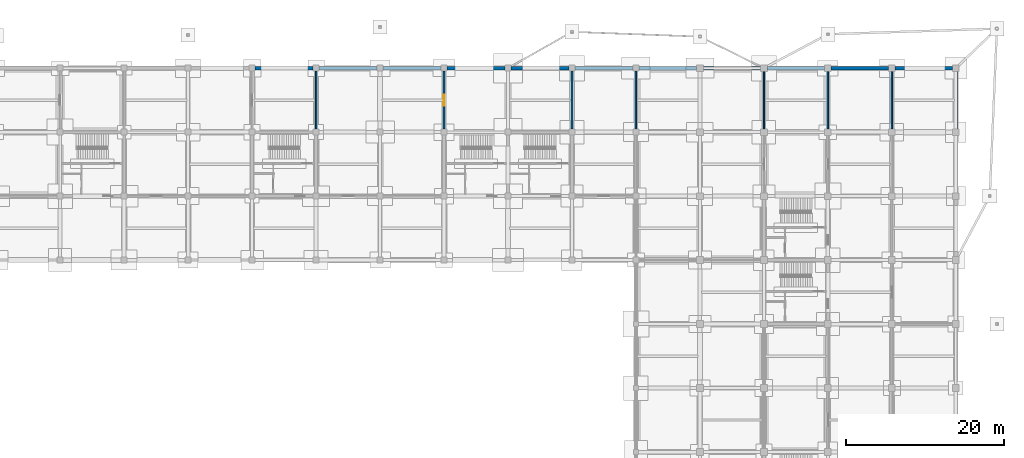
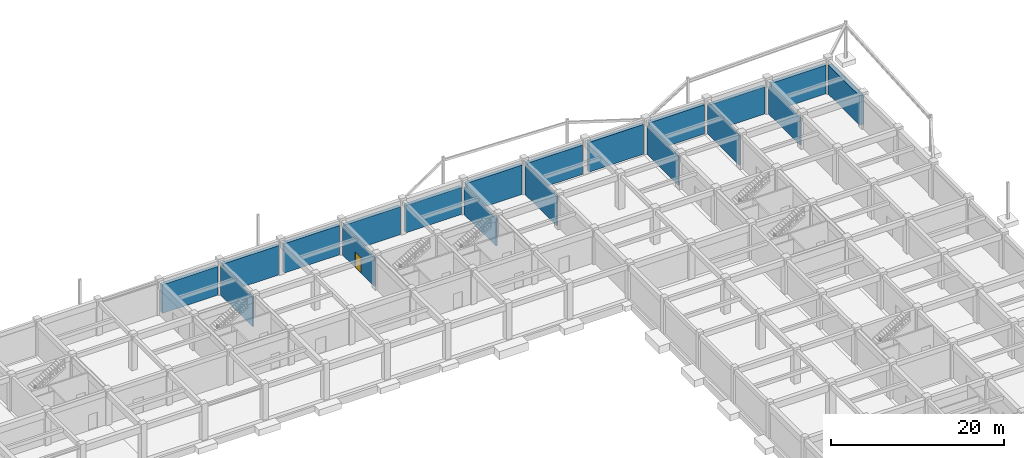
# One storey, part 55 of 67: 19 walls, 1 door, 1 opening.
"""IFC4 building model written with IfcOpenShell, lengths in metres."""

from ifc_helpers import new_model, si_unit, direction, frame, frame_2d, origin, place, context, subcontext, project, spatial, rectangle, extrude, material, layer, layer_set, type_object, element, fill, save


model = new_model("IFC4")

# Units and contexts
model_context = context("Model", 3, precision=1e-05, world=origin(), true_north=direction((0.0, 1.0)))
body_context = subcontext(model_context, "Body", "Model", "MODEL_VIEW")
ifc_project = project(units=[si_unit("LENGTHUNIT", "METRE"), si_unit("AREAUNIT", "SQUARE_METRE"), si_unit("VOLUMEUNIT", "CUBIC_METRE"), si_unit("PLANEANGLEUNIT", "RADIAN"), si_unit("MASSUNIT", "GRAM", prefix="KILO")], contexts=[model_context])

# Site, building, storey
site_placement = place(None, origin())
site = spatial("IfcSite", under=ifc_project, at=site_placement, CompositionType="ELEMENT")
building_placement = place(site_placement, origin())
building = spatial("IfcBuilding", under=site, at=building_placement, Name="Vaudrelin Polytechnic", CompositionType="ELEMENT")
storey_placement = place(building_placement, frame((0.0, 0.0, -5.10009765625)))
storey = spatial("IfcBuildingStorey", under=building, at=storey_placement, Name="B1", CompositionType="ELEMENT", Elevation=-5.10009765625)

# Wall, opening, door
ifc_material_1 = material(Name="Concrete masonry unit 20 MPa shaft & corridor fire wall", Category="masonry")
ifc_layer_1 = layer(ifc_material_1, 0.199951171875)
ifc_layer_set_1 = layer_set([ifc_layer_1], Name="Concrete masonry unit 20 MPa shaft & corridor fire wall")
wall_type_1 = type_object("IfcWallType", Name="WAL-PW-FIRE120", PredefinedType="PARTITIONING", material=ifc_layer_set_1)
wall_1_placement = place(storey_placement, frame((105.300048828125, 113.77294921875, 0.0), z_axis=(0.0, 0.0, 1.0), x_axis=(0.0, 1.0, 0.0)))
wall_1 = element("IfcWall", 1, at=wall_1_placement, inside=storey, type_object=wall_type_1, Name="Partition B1-014 E", PredefinedType="PARTITIONING", context=body_context, shape_type="SweptSolid", body=[
    extrude(rectangle(XDim=7.35400390625, YDim=0.199951171875, at=frame_2d((3.677001953125, 0.0))), origin(), (0.0, 0.0, 1.0), 4.031982421875),
])
opening_placement = place(wall_1_placement, frame((2.97705078125, 0.0, 0.0)))
opening = element("IfcOpeningElement", 2, at=opening_placement, cuts=wall_1, Name="Opening D-B1-419", PredefinedType="OPENING", context=body_context, shape_type="SweptSolid", body=[
    extrude(rectangle(XDim=1.39990234375, YDim=2.199951171875, at=frame_2d((0.699951171875, 1.10009765625))), frame((0.0, 0.10986328125, 0.0), z_axis=(0.0, -1.0, 0.0), x_axis=(1.0, 0.0, 0.0)), (0.0, 0.0, 1.0), 0.219970703125),
])
ifc_material_2 = material(Name="Pressed galvanised steel acoustic leaf", Category="steel")
door_type = type_object("IfcDoorType", Name="DOR-ID-PLT1", OperationType="NOTDEFINED", PredefinedType="DOOR", material=ifc_material_2)
door_placement = place(opening_placement, origin())
door = element("IfcDoor", 3, at=door_placement, inside=storey, type_object=door_type, Name="Switchgear Battery Room door B1-036", OperationType="DOUBLE_SWING_LEFT", OverallHeight=2.199951171875, OverallWidth=1.39990234375, PredefinedType="DOOR", context=body_context, shape_type="SweptSolid", body=[
    extrude(rectangle(XDim=1.39990234375, YDim=2.199951171875, at=frame_2d((0.699951171875, 1.10009765625))), frame((0.0, 0.02490234375, 0.0), z_axis=(0.0, -1.0, 0.0), x_axis=(1.0, 0.0, 0.0)), (0.0, 0.0, 1.0), 0.050048828125),
])
fill(opening, door)

# Walls
for number, where, z_axis, x_axis, name in (
    (4, (89.10009765625, 113.77294921875, 0.0), (0.0, 0.0, 1.0), (0.0, 1.0, 0.0), "Partition B1-014 W"),
    (5, (129.60009765625, 113.77294921875, 0.0), (0.0, 0.0, 1.0), (0.0, 1.0, 0.0), "Partition B1-015 E"),
):
    element("IfcWall", number, at=place(storey_placement, frame(where, z_axis=z_axis, x_axis=x_axis)), inside=storey, type_object=wall_type_1, Name=name, PredefinedType="PARTITIONING", context=body_context, shape_type="SweptSolid", body=[
        extrude(rectangle(XDim=7.35400390625, YDim=0.199951171875, at=frame_2d((3.677001953125, 0.0))), origin(), (0.0, 0.0, 1.0), 4.132080078125),
    ])
wall_2_placement = place(storey_placement, frame((121.5, 113.77294921875, 0.0), z_axis=(0.0, 0.0, 1.0), x_axis=(0.0, 1.0, 0.0)))
element("IfcWall", 6, at=wall_2_placement, inside=storey, type_object=wall_type_1, Name="Partition B1-015 W", PredefinedType="PARTITIONING", context=body_context, shape_type="SweptSolid", body=[
    extrude(rectangle(XDim=7.35400390625, YDim=0.199951171875, at=frame_2d((3.677001953125, 0.0))), origin(), (0.0, 0.0, 1.0), 3.83203125),
])
wall_3_placement = place(storey_placement, frame((162.0, 113.822998046875, 0.0), z_axis=(0.0, 0.0, 1.0), x_axis=(0.0, 1.0, 0.0)))
element("IfcWall", 7, at=wall_3_placement, inside=storey, type_object=wall_type_1, Name="Partition B1-028 W", PredefinedType="PARTITIONING", context=body_context, shape_type="SweptSolid", body=[
    extrude(rectangle(XDim=7.25390625, YDim=0.199951171875, at=frame_2d((3.626953125, 0.0))), origin(), (0.0, 0.0, 1.0), 3.83203125),
])
ifc_material_3 = material(Name="Moisture- and chemical-resistant laboratory partition", Category="gypsum")
ifc_layer_2 = layer(ifc_material_3, 0.159912109375)
ifc_layer_set_2 = layer_set([ifc_layer_2], Name="Moisture- and chemical-resistant laboratory partition")
wall_type_2 = type_object("IfcWallType", Name="WAL-PW-LAB160", PredefinedType="PARTITIONING", material=ifc_layer_set_2)
wall_4_placement = place(storey_placement, frame((145.800048828125, 113.822998046875, 0.0), z_axis=(0.0, 0.0, 1.0), x_axis=(0.0, 1.0, 0.0)))
element("IfcWall", 8, at=wall_4_placement, inside=storey, type_object=wall_type_2, Name="Partition B1-023 E", PredefinedType="PARTITIONING", context=body_context, shape_type="SweptSolid", body=[
    extrude(rectangle(XDim=7.25390625, YDim=0.159912109375, at=frame_2d((3.626953125, 0.0))), origin(), (0.0, 0.0, 1.0), 4.031982421875),
])
wall_5_placement = place(storey_placement, frame((153.89990234375, 113.822998046875, 0.0), z_axis=(0.0, 0.0, 1.0), x_axis=(0.0, 1.0, 0.0)))
element("IfcWall", 9, at=wall_5_placement, inside=storey, type_object=wall_type_2, Name="Partition B1-024 E", PredefinedType="PARTITIONING", context=body_context, shape_type="SweptSolid", body=[
    extrude(rectangle(XDim=7.25390625, YDim=0.159912109375, at=frame_2d((3.626953125, 0.0))), origin(), (0.0, 0.0, 1.0), 4.18212890625),
])
ifc_material_4 = material(Name="Concrete 35 MPa", Category="concrete")
ifc_layer_3 = layer(ifc_material_4, 0.449951171875)
ifc_layer_set_3 = layer_set([ifc_layer_3], Name="Concrete 35 MPa")
wall_type_3 = type_object("IfcWallType", Name="WAL-SW-RET450", PredefinedType="SOLIDWALL", material=ifc_layer_set_3)
wall_6_placement = place(storey_placement, frame((81.360107421875, 121.5, 0.0), z_axis=(0.0, 0.0, 1.0), x_axis=(1.0, 0.0, 0.0)))
element("IfcWall", 10, at=wall_6_placement, inside=storey, type_object=wall_type_3, Name="Basement retaining wall RET-N-V5-11", PredefinedType="SOLIDWALL", context=body_context, shape_type="SweptSolid", body=[
    extrude(rectangle(XDim=7.3798828125, YDim=0.449951171875, at=frame_2d((3.68994140625, 0.0))), origin(), (0.0, 0.0, 1.0), 4.030029296875),
])
wall_7_placement = place(storey_placement, frame((89.4599609375, 121.5, 0.0), z_axis=(0.0, 0.0, 1.0), x_axis=(1.0, 0.0, 0.0)))
element("IfcWall", 11, at=wall_7_placement, inside=storey, type_object=wall_type_3, Name="Basement retaining wall RET-N-V5-12", PredefinedType="SOLIDWALL", context=body_context, shape_type="SweptSolid", body=[
    extrude(rectangle(XDim=7.380126953125, YDim=0.449951171875, at=frame_2d((3.68994140625, 0.0))), origin(), (0.0, 0.0, 1.0), 4.130126953125),
])
wall_8_placement = place(storey_placement, frame((97.56005859375, 121.5, 0.0), z_axis=(0.0, 0.0, 1.0), x_axis=(1.0, 0.0, 0.0)))
element("IfcWall", 12, at=wall_8_placement, inside=storey, type_object=wall_type_3, Name="Basement retaining wall RET-N-V5-13", PredefinedType="SOLIDWALL", context=body_context, shape_type="SweptSolid", body=[
    extrude(rectangle(XDim=7.3798828125, YDim=0.449951171875, at=frame_2d((3.68994140625, 0.0))), origin(), (0.0, 0.0, 1.0), 4.130126953125),
])
wall_9_placement = place(storey_placement, frame((105.659912109375, 121.5, 0.0), z_axis=(0.0, 0.0, 1.0), x_axis=(1.0, 0.0, 0.0)))
element("IfcWall", 13, at=wall_9_placement, inside=storey, type_object=wall_type_3, Name="Basement retaining wall RET-N-V5-14", PredefinedType="SOLIDWALL", context=body_context, shape_type="SweptSolid", body=[
    extrude(rectangle(XDim=7.380126953125, YDim=0.449951171875, at=frame_2d((3.68994140625, 0.0))), origin(), (0.0, 0.0, 1.0), 3.93017578125),
])
wall_10_placement = place(storey_placement, frame((113.760009765625, 121.5, 0.0), z_axis=(0.0, 0.0, 1.0), x_axis=(1.0, 0.0, 0.0)))
element("IfcWall", 14, at=wall_10_placement, inside=storey, type_object=wall_type_3, Name="Basement retaining wall RET-N-V5-15", PredefinedType="SOLIDWALL", context=body_context, shape_type="SweptSolid", body=[
    extrude(rectangle(XDim=7.3798828125, YDim=0.449951171875, at=frame_2d((3.68994140625, 0.0))), origin(), (0.0, 0.0, 1.0), 3.830078125),
])
wall_11_placement = place(storey_placement, frame((121.860107421875, 121.5, 0.0), z_axis=(0.0, 0.0, 1.0), x_axis=(1.0, 0.0, 0.0)))
element("IfcWall", 15, at=wall_11_placement, inside=storey, type_object=wall_type_3, Name="Basement retaining wall RET-N-V5-16", PredefinedType="SOLIDWALL", context=body_context, shape_type="SweptSolid", body=[
    extrude(rectangle(XDim=7.3798828125, YDim=0.449951171875, at=frame_2d((3.68994140625, 0.0))), origin(), (0.0, 0.0, 1.0), 4.130126953125),
])
wall_12_placement = place(storey_placement, frame((129.9599609375, 121.5, 0.0), z_axis=(0.0, 0.0, 1.0), x_axis=(1.0, 0.0, 0.0)))
element("IfcWall", 16, at=wall_12_placement, inside=storey, type_object=wall_type_3, Name="Basement retaining wall RET-N-V4-1", PredefinedType="SOLIDWALL", context=body_context, shape_type="SweptSolid", body=[
    extrude(rectangle(XDim=7.330078125, YDim=0.449951171875, at=frame_2d((3.6650390625, 0.0))), origin(), (0.0, 0.0, 1.0), 4.130126953125),
])
wall_13_placement = place(storey_placement, frame((138.110107421875, 121.5, 0.0), z_axis=(0.0, 0.0, 1.0), x_axis=(1.0, 0.0, 0.0)))
element("IfcWall", 17, at=wall_13_placement, inside=storey, type_object=wall_type_3, Name="Basement retaining wall RET-N-V4-2", PredefinedType="SOLIDWALL", context=body_context, shape_type="SweptSolid", body=[
    extrude(rectangle(XDim=7.27978515625, YDim=0.449951171875, at=frame_2d((3.639892578125, 0.0))), origin(), (0.0, 0.0, 1.0), 4.18017578125),
])
wall_14_placement = place(storey_placement, frame((146.2099609375, 121.5, 0.0), z_axis=(0.0, 0.0, 1.0), x_axis=(1.0, 0.0, 0.0)))
element("IfcWall", 18, at=wall_14_placement, inside=storey, type_object=wall_type_3, Name="Basement retaining wall RET-N-V4-3", PredefinedType="SOLIDWALL", context=body_context, shape_type="SweptSolid", body=[
    extrude(rectangle(XDim=7.280029296875, YDim=0.449951171875, at=frame_2d((3.64013671875, 0.0))), origin(), (0.0, 0.0, 1.0), 4.130126953125),
])
wall_15_placement = place(storey_placement, frame((154.31005859375, 121.5, 0.0), z_axis=(0.0, 0.0, 1.0), x_axis=(1.0, 0.0, 0.0)))
element("IfcWall", 19, at=wall_15_placement, inside=storey, type_object=wall_type_3, Name="Basement retaining wall RET-N-V4-4", PredefinedType="SOLIDWALL", context=body_context, shape_type="SweptSolid", body=[
    extrude(rectangle(XDim=7.280029296875, YDim=0.449951171875, at=frame_2d((3.64013671875, 0.0))), origin(), (0.0, 0.0, 1.0), 3.830078125),
])
wall_16_placement = place(storey_placement, frame((162.409912109375, 121.5, 0.0), z_axis=(0.0, 0.0, 1.0), x_axis=(1.0, 0.0, 0.0)))
element("IfcWall", 20, at=wall_16_placement, inside=storey, type_object=wall_type_3, Name="Basement retaining wall RET-N-V4-5", PredefinedType="SOLIDWALL", context=body_context, shape_type="SweptSolid", body=[
    extrude(rectangle(XDim=7.280029296875, YDim=0.449951171875, at=frame_2d((3.64013671875, 0.0))), origin(), (0.0, 0.0, 1.0), 4.030029296875),
])
ifc_layer_4 = layer(ifc_material_4, 0.5)
ifc_layer_set_4 = layer_set([ifc_layer_4], Name="Concrete 35 MPa")
wall_type_4 = type_object("IfcWallType", Name="WAL-SW-RET500", PredefinedType="SOLIDWALL", material=ifc_layer_set_4)
wall_17_placement = place(storey_placement, frame((170.10009765625, 113.81005859375, 0.0), z_axis=(0.0, 0.0, 1.0), x_axis=(0.0, 1.0, 0.0)))
element("IfcWall", 21, at=wall_17_placement, inside=storey, type_object=wall_type_4, Name="Basement retaining wall RET-E-V4-13", PredefinedType="SOLIDWALL", context=body_context, shape_type="SweptSolid", body=[
    extrude(rectangle(XDim=7.280029296875, YDim=0.5, at=frame_2d((3.64013671875, 0.0))), origin(), (0.0, 0.0, 1.0), 4.130126953125),
])

save(model, "model.ifc")
